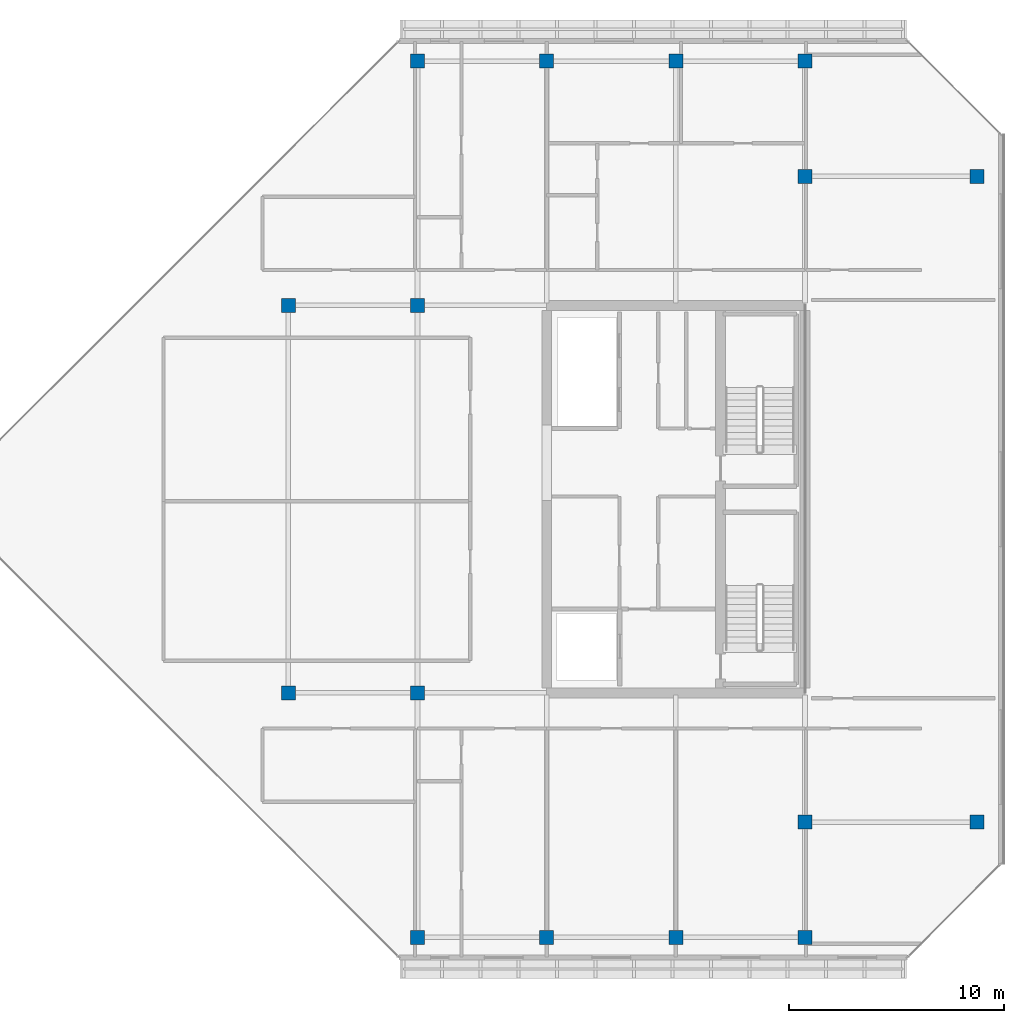
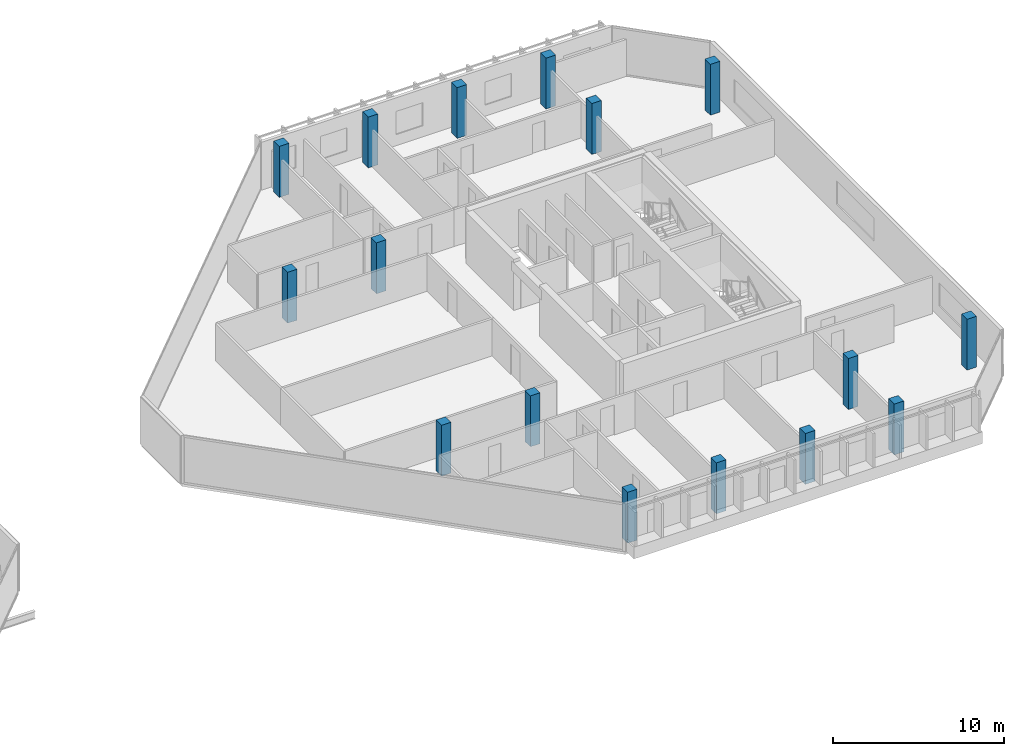
# One storey, part 1 of 28: 16 columns.
"""IFC4 building model written with IfcOpenShell, lengths in metres."""

import ifcopenshell
import ifcopenshell.guid

model = None  # the IFC model being written
_history = None  # IfcOwnerHistory: only IFC2X3 demands one
_inside = {}  # id of a spatial element -> (the spatial element, [elements in it])
_under = {}  # id of a project, library or spatial element -> (it, [spatial elements below it])
_declared = {}  # id of a project -> (the project, [libraries it declares])
_typed = {}  # id of a type object -> (the type object, [elements of that type])
_made_of = {}  # id of a material, layer set ... -> (it, [elements and type objects made of it])


def new_model(schema):
    """Start an empty IFC model of exactly this schema.

    Asked for "IFC4X3", IfcOpenShell would pick the latest addendum, in which some entities
    have other attributes; the version numbers below select the first issue.
    IFC2X3 requires an IfcOwnerHistory on every rooted entity: one is made here for all.
    """
    global model, _history
    if schema == "IFC4X3":
        model = ifcopenshell.file(schema_version=(4, 3, 0, 0))
    else:
        model = ifcopenshell.file(schema=schema)
    _inside.clear()
    _under.clear()
    _declared.clear()
    _typed.clear()
    _made_of.clear()
    _history = None
    if model.schema == "IFC2X3":
        org = make("IfcOrganization", Name="unknown")
        user = make(
            "IfcPersonAndOrganization",
            ThePerson=make("IfcPerson", FamilyName="unknown"),
            TheOrganization=org,
        )
        app = make(
            "IfcApplication",
            ApplicationDeveloper=org,
            Version="unknown",
            ApplicationFullName="unknown",
            ApplicationIdentifier="unknown",
        )
        _history = make(
            "IfcOwnerHistory",
            OwningUser=user,
            OwningApplication=app,
            ChangeAction="ADDED",
            CreationDate=0,
        )
    return model


def make(cls, **values):
    """One entity of the class cls with the attributes given. An attribute that is None is left unset."""
    return model.create_entity(
        cls, **{name: value for name, value in values.items() if value is not None}
    )


def rooted(cls, **values):
    """An entity with a GlobalId (a new one), such as an element, a storey or a relation."""
    return make(cls, GlobalId=ifcopenshell.guid.new(), OwnerHistory=_history, **values)


def si_unit(unit_type, name, prefix=None):
    """IfcSIUnit, for example si_unit("LENGTHUNIT", "METRE", prefix="MILLI")."""
    return make("IfcSIUnit", UnitType=unit_type, Prefix=prefix, Name=name)


def assignment(units):
    """IfcUnitAssignment: the units of a project."""
    return None if units is None else make("IfcUnitAssignment", Units=units)


def point(xyz):
    """IfcCartesianPoint."""
    return None if xyz is None else make("IfcCartesianPoint", Coordinates=xyz)


def direction(xyz):
    """IfcDirection."""
    return None if xyz is None else make("IfcDirection", DirectionRatios=xyz)


def frame(location, z_axis=None, x_axis=None):
    """IfcAxis2Placement3D, a coordinate frame: its origin and axes. An axis left out is left unset."""
    return make(
        "IfcAxis2Placement3D",
        Location=point(location),
        Axis=direction(z_axis),
        RefDirection=direction(x_axis),
    )


def frame_2d(location, x_axis=None):
    """IfcAxis2Placement2D, a coordinate frame in the plane: its origin and x axis."""
    return make(
        "IfcAxis2Placement2D", Location=point(location), RefDirection=direction(x_axis)
    )


def origin():
    """The frame at (0, 0, 0) with its axes left unset."""
    return frame((0.0, 0.0, 0.0))


def origin_2d():
    """The frame at (0, 0) in the plane with its x axis left unset."""
    return frame_2d((0.0, 0.0))


def place(relative_to, where):
    """IfcLocalPlacement: puts the frame where relative to a parent placement (None: the world)."""
    return make(
        "IfcLocalPlacement", PlacementRelTo=relative_to, RelativePlacement=where
    )


def context(
    kind, dimensions, precision=None, world=None, true_north=None, identifier=None
):
    """IfcGeometricRepresentationContext, for example the 3D "Model" context."""
    return make(
        "IfcGeometricRepresentationContext",
        ContextIdentifier=identifier,
        ContextType=kind,
        CoordinateSpaceDimension=dimensions,
        Precision=precision,
        WorldCoordinateSystem=world,
        TrueNorth=true_north,
    )


def subcontext(parent, identifier, kind, view, scale=None):
    """IfcGeometricRepresentationSubContext, for example "Body" below "Model"."""
    return make(
        "IfcGeometricRepresentationSubContext",
        ContextIdentifier=identifier,
        ContextType=kind,
        ParentContext=parent,
        TargetScale=scale,
        TargetView=view,
    )


def project(units=None, contexts=None):
    """IfcProject with its units and contexts."""
    return rooted(
        "IfcProject",
        Name="project",
        RepresentationContexts=contexts,
        UnitsInContext=assignment(units),
    )


def spatial(cls, under=None, at=None, **own):
    """A site, building, storey or space (cls), placed at a placement, below another one or the project."""
    s = rooted(cls, ObjectPlacement=at, **own)
    if under is not None:
        _under.setdefault(under.id(), (under, []))[1].append(s)
    return s


def profile(cls, at=None, kind="AREA", **sizes):
    """A parametric profile (cls). Its sizes go by their IFC names, for example OverallWidth=200.0."""
    return make(cls, ProfileType=kind, Position=at, **sizes)


def rectangle(**sizes):
    """IfcRectangleProfileDef."""
    return profile("IfcRectangleProfileDef", **sizes)


def extrude(swept, where, along, depth):
    """IfcExtrudedAreaSolid: the profile swept, set in the frame where, extruded along a direction by depth."""
    return make(
        "IfcExtrudedAreaSolid",
        SweptArea=swept,
        Position=where,
        ExtrudedDirection=direction(along),
        Depth=depth,
    )


def shape(context_of_items, identifier, shape_type, items):
    """IfcShapeRepresentation: the items that make up one representation, for example the "Body"."""
    return make(
        "IfcShapeRepresentation",
        ContextOfItems=context_of_items,
        RepresentationIdentifier=identifier,
        RepresentationType=shape_type,
        Items=items,
    )


def material(Name=None, Category=None):
    """IfcMaterial."""
    return make("IfcMaterial", Name=Name, Category=Category)


def material_profile(
    of_material, cross_section, Name=None, Category=None, Priority=None
):
    """IfcMaterialProfile: a cross section and its material."""
    return make(
        "IfcMaterialProfile",
        Name=Name,
        Material=of_material,
        Profile=cross_section,
        Priority=Priority,
        Category=Category,
    )


def profile_set(profiles, Name=None, composite=None):
    """IfcMaterialProfileSet."""
    return make(
        "IfcMaterialProfileSet",
        Name=Name,
        MaterialProfiles=profiles,
        CompositeProfile=composite,
    )


def made_of(thing, what):
    """Note that an element or type object is made of a material, layer set ...; save() writes the relation."""
    if what is not None:
        _made_of.setdefault(what.id(), (what, []))[1].append(thing)
    return thing


def type_object(cls, material=None, **own):
    """A type object (cls), such as IfcWallType, which elements share."""
    return made_of(rooted(cls, **own), material)


def element(
    cls,
    number,
    at=None,
    inside=None,
    cuts=None,
    type_object=None,
    material=None,
    context=None,
    identifier="Body",
    shape_type=None,
    held_by="IfcProductDefinitionShape",
    body=None,
    shapes=None,
    **own,
):
    """One element of the class cls, such as IfcWall. Its Tag is "e" and its number.

    at: its placement. inside: the storey or other place that contains it. cuts: it is an
    opening in that element (IfcRelVoidsElement). A single representation is given by context,
    identifier, shape_type and body (its items); several are given by shapes. held_by: the class
    of the entity that holds the representations. save() writes the other relations.
    """
    e = rooted(cls, Tag="e%d" % number, ObjectPlacement=at, **own)
    if body is not None:
        shapes = [shape(context, identifier, shape_type, body)]
    if shapes is not None:
        e.Representation = make(held_by, Representations=shapes)
    if inside is not None:
        _inside.setdefault(inside.id(), (inside, []))[1].append(e)
    if cuts is not None:
        rooted(
            "IfcRelVoidsElement", RelatingBuildingElement=cuts, RelatedOpeningElement=e
        )
    if type_object is not None:
        _typed.setdefault(type_object.id(), (type_object, []))[1].append(e)
    return made_of(e, material)


def aggregate(whole, parts):
    """IfcRelAggregates: a whole, such as a stair, and the parts it consists of."""
    return rooted("IfcRelAggregates", RelatingObject=whole, RelatedObjects=parts)


def save(model, path):
    """Write the relations noted so far, then the file.

    IfcRelAggregates (storeys below a building ...), IfcRelContainedInSpatialStructure (elements
    in a storey), IfcRelDefinesByType, IfcRelAssociatesMaterial and IfcRelDeclares: one each for
    every whole, place, type object, material and project.
    """
    for whole, parts in _under.values():
        aggregate(whole, parts)
    for where, things in _inside.values():
        rooted(
            "IfcRelContainedInSpatialStructure",
            RelatedElements=things,
            RelatingStructure=where,
        )
    for kind, things in _typed.values():
        rooted("IfcRelDefinesByType", RelatedObjects=things, RelatingType=kind)
    for what, things in _made_of.values():
        rooted("IfcRelAssociatesMaterial", RelatedObjects=things, RelatingMaterial=what)
    for by, libraries in _declared.values():
        rooted("IfcRelDeclares", RelatingContext=by, RelatedDefinitions=libraries)
    model.write(path)


model = new_model("IFC4")

# Units and contexts
model_context = context("Model", 3, precision=1e-05, world=origin(), true_north=direction((0.0, 1.0)))
body_context = subcontext(model_context, "Body", "Model", "MODEL_VIEW")
ifc_project = project(units=[si_unit("LENGTHUNIT", "METRE"), si_unit("AREAUNIT", "SQUARE_METRE"), si_unit("VOLUMEUNIT", "CUBIC_METRE"), si_unit("PLANEANGLEUNIT", "RADIAN"), si_unit("MASSUNIT", "GRAM", prefix="KILO")], contexts=[model_context])

# Site, building, storey
site_placement = place(None, origin())
site = spatial("IfcSite", under=ifc_project, at=site_placement, CompositionType="ELEMENT")
building_placement = place(site_placement, origin())
building = spatial("IfcBuilding", under=site, at=building_placement, Name="Tanjung Sevakor Pilgrim Tower", CompositionType="ELEMENT")
storey_placement = place(building_placement, frame((0.0, 0.0, 242.550048828125)))
storey = spatial("IfcBuildingStorey", under=building, at=storey_placement, Name="L68", CompositionType="ELEMENT", Elevation=242.550048828125)

# Columns
ifc_material = material(Name="Concrete C60/75", Category="concrete")
ifc_material_profile = material_profile(ifc_material, rectangle(XDim=0.64990234375, YDim=0.64990234375, at=origin_2d()))
ifc_profile_set = profile_set([ifc_material_profile], Name="Concrete C60/75")
column_type = type_object("IfcColumnType", Name="COL-C-T650-RC_650x650", PredefinedType="COLUMN", material=ifc_profile_set)
for number, where, z_axis, x_axis, name in (
    (1, (66.0, 24.60009765625, 0.0), (0.0, 0.0, 1.0), (1.0, 0.0, 0.0), "L68 Column SPE-066-246"),
    (2, (66.0, 42.60009765625, 0.0), (0.0, 0.0, 1.0), (1.0, 0.0, 0.0), "L68 Column SPE-066-426"),
    (3, (72.0, 24.60009765625, 0.0), (0.0, 0.0, 1.0), (1.0, 0.0, 0.0), "L68 Column SPE-072-246"),
    (4, (72.0, 42.60009765625, 0.0), (0.0, 0.0, 1.0), (1.0, 0.0, 0.0), "L68 Column SPE-072-426"),
    (5, (90.0, 18.60009765625, 0.0), (0.0, 0.0, 1.0), (1.0, 0.0, 0.0), "L68 Column TCE-0900-186"),
    (6, (90.0, 48.60009765625, 0.0), (0.0, 0.0, 1.0), (1.0, 0.0, 0.0), "L68 Column TCE-0900-486"),
    (7, (98.0, 18.60009765625, 0.0), (0.0, 0.0, 1.0), (1.0, 0.0, 0.0), "L68 Column TCE-0980-186"),
    (8, (98.0, 48.60009765625, 0.0), (0.0, 0.0, 1.0), (1.0, 0.0, 0.0), "L68 Column TCE-0980-486"),
    (9, (72.0, 13.25, 0.0), (0.0, 0.0, 1.0), (1.0, 0.0, 0.0), "L68 Column TC4-072-132"),
    (10, (72.0, 53.949951171875, 0.0), (0.0, 0.0, 1.0), (1.0, 0.0, 0.0), "L68 Column TC4-072-540"),
    (11, (78.0, 13.25, 0.0), (0.0, 0.0, 1.0), (1.0, 0.0, 0.0), "L68 Column TC4-078-132"),
    (12, (78.0, 53.949951171875, 0.0), (0.0, 0.0, 1.0), (1.0, 0.0, 0.0), "L68 Column TC4-078-540"),
    (13, (84.0, 13.25, 0.0), (0.0, 0.0, 1.0), (1.0, 0.0, 0.0), "L68 Column TC4-084-132"),
    (14, (84.0, 53.949951171875, 0.0), (0.0, 0.0, 1.0), (1.0, 0.0, 0.0), "L68 Column TC4-084-540"),
    (15, (90.0, 13.25, 0.0), (0.0, 0.0, 1.0), (1.0, 0.0, 0.0), "L68 Column TC4-090-132"),
    (16, (90.0, 53.949951171875, 0.0), (0.0, 0.0, 1.0), (1.0, 0.0, 0.0), "L68 Column TC4-090-540"),
):
    element("IfcColumn", number, at=place(storey_placement, frame(where, z_axis=z_axis, x_axis=x_axis)), inside=storey, type_object=column_type, Name=name, PredefinedType="COLUMN", context=body_context, shape_type="SweptSolid", body=[
        extrude(rectangle(XDim=0.64990234375, YDim=0.64990234375, at=origin_2d()), origin(), (0.0, 0.0, 1.0), 3.6298828125),
    ])

save(model, "model.ifc")
